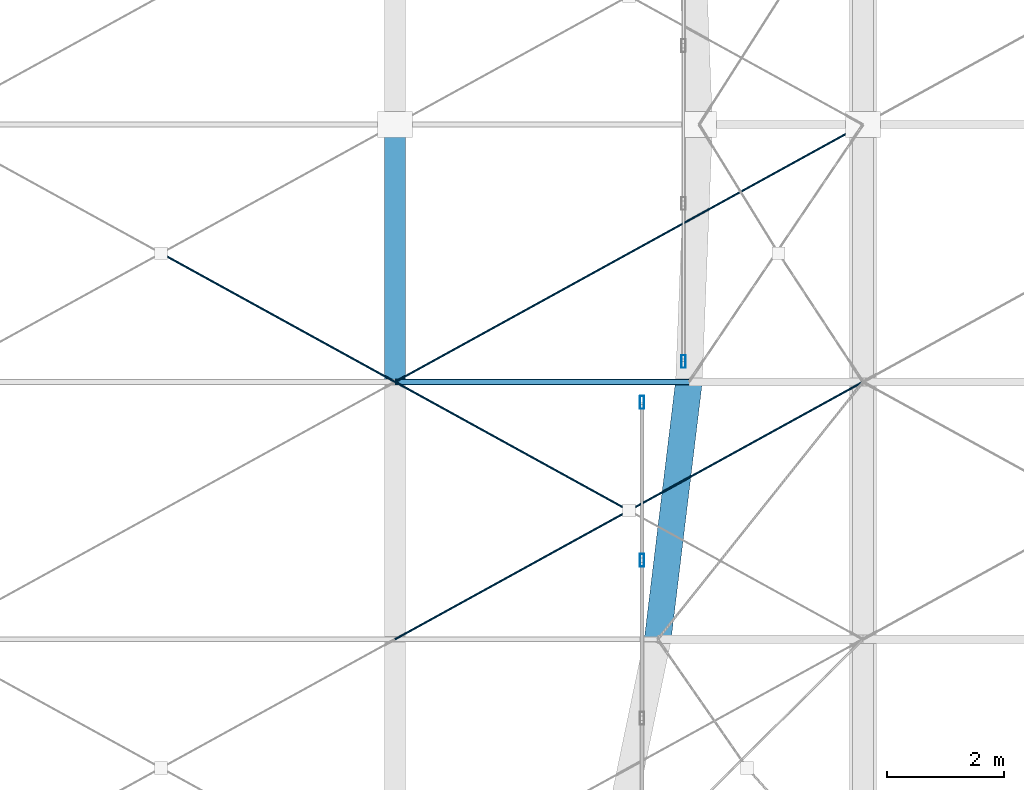
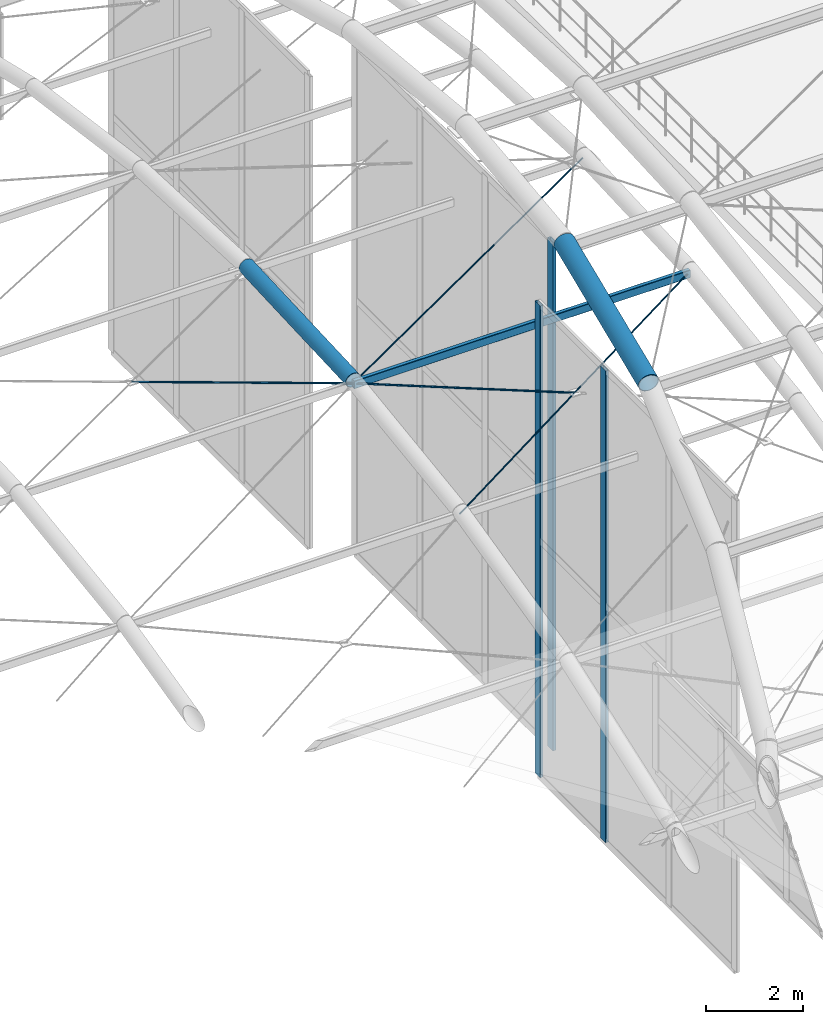
# One storey, part 24 of 163: 7 members, 3 beams, 2 elements without a shape of their own.
"""IFC4 building model written with IfcOpenShell, lengths in metres."""

import ifcopenshell
import ifcopenshell.guid

model = None  # the IFC model being written
_history = None  # IfcOwnerHistory: only IFC2X3 demands one
_inside = {}  # id of a spatial element -> (the spatial element, [elements in it])
_under = {}  # id of a project, library or spatial element -> (it, [spatial elements below it])
_declared = {}  # id of a project -> (the project, [libraries it declares])
_typed = {}  # id of a type object -> (the type object, [elements of that type])
_made_of = {}  # id of a material, layer set ... -> (it, [elements and type objects made of it])


def new_model(schema):
    """Start an empty IFC model of exactly this schema.

    Asked for "IFC4X3", IfcOpenShell would pick the latest addendum, in which some entities
    have other attributes; the version numbers below select the first issue.
    IFC2X3 requires an IfcOwnerHistory on every rooted entity: one is made here for all.
    """
    global model, _history
    if schema == "IFC4X3":
        model = ifcopenshell.file(schema_version=(4, 3, 0, 0))
    else:
        model = ifcopenshell.file(schema=schema)
    _inside.clear()
    _under.clear()
    _declared.clear()
    _typed.clear()
    _made_of.clear()
    _history = None
    if model.schema == "IFC2X3":
        org = make("IfcOrganization", Name="unknown")
        user = make(
            "IfcPersonAndOrganization",
            ThePerson=make("IfcPerson", FamilyName="unknown"),
            TheOrganization=org,
        )
        app = make(
            "IfcApplication",
            ApplicationDeveloper=org,
            Version="unknown",
            ApplicationFullName="unknown",
            ApplicationIdentifier="unknown",
        )
        _history = make(
            "IfcOwnerHistory",
            OwningUser=user,
            OwningApplication=app,
            ChangeAction="ADDED",
            CreationDate=0,
        )
    return model


def make(cls, **values):
    """One entity of the class cls with the attributes given. An attribute that is None is left unset."""
    return model.create_entity(
        cls, **{name: value for name, value in values.items() if value is not None}
    )


def rooted(cls, **values):
    """An entity with a GlobalId (a new one), such as an element, a storey or a relation."""
    return make(cls, GlobalId=ifcopenshell.guid.new(), OwnerHistory=_history, **values)


def si_unit(unit_type, name, prefix=None):
    """IfcSIUnit, for example si_unit("LENGTHUNIT", "METRE", prefix="MILLI")."""
    return make("IfcSIUnit", UnitType=unit_type, Prefix=prefix, Name=name)


def assignment(units):
    """IfcUnitAssignment: the units of a project."""
    return None if units is None else make("IfcUnitAssignment", Units=units)


def point(xyz):
    """IfcCartesianPoint."""
    return None if xyz is None else make("IfcCartesianPoint", Coordinates=xyz)


def direction(xyz):
    """IfcDirection."""
    return None if xyz is None else make("IfcDirection", DirectionRatios=xyz)


def frame(location, z_axis=None, x_axis=None):
    """IfcAxis2Placement3D, a coordinate frame: its origin and axes. An axis left out is left unset."""
    return make(
        "IfcAxis2Placement3D",
        Location=point(location),
        Axis=direction(z_axis),
        RefDirection=direction(x_axis),
    )


def frame_2d(location, x_axis=None):
    """IfcAxis2Placement2D, a coordinate frame in the plane: its origin and x axis."""
    return make(
        "IfcAxis2Placement2D", Location=point(location), RefDirection=direction(x_axis)
    )


def origin():
    """The frame at (0, 0, 0) with its axes left unset."""
    return frame((0.0, 0.0, 0.0))


def origin_2d():
    """The frame at (0, 0) in the plane with its x axis left unset."""
    return frame_2d((0.0, 0.0))


def place(relative_to, where):
    """IfcLocalPlacement: puts the frame where relative to a parent placement (None: the world)."""
    return make(
        "IfcLocalPlacement", PlacementRelTo=relative_to, RelativePlacement=where
    )


def context(
    kind, dimensions, precision=None, world=None, true_north=None, identifier=None
):
    """IfcGeometricRepresentationContext, for example the 3D "Model" context."""
    return make(
        "IfcGeometricRepresentationContext",
        ContextIdentifier=identifier,
        ContextType=kind,
        CoordinateSpaceDimension=dimensions,
        Precision=precision,
        WorldCoordinateSystem=world,
        TrueNorth=true_north,
    )


def subcontext(parent, identifier, kind, view, scale=None):
    """IfcGeometricRepresentationSubContext, for example "Body" below "Model"."""
    return make(
        "IfcGeometricRepresentationSubContext",
        ContextIdentifier=identifier,
        ContextType=kind,
        ParentContext=parent,
        TargetScale=scale,
        TargetView=view,
    )


def project(units=None, contexts=None):
    """IfcProject with its units and contexts."""
    return rooted(
        "IfcProject",
        Name="project",
        RepresentationContexts=contexts,
        UnitsInContext=assignment(units),
    )


def spatial(cls, under=None, at=None, **own):
    """A site, building, storey or space (cls), placed at a placement, below another one or the project."""
    s = rooted(cls, ObjectPlacement=at, **own)
    if under is not None:
        _under.setdefault(under.id(), (under, []))[1].append(s)
    return s


def profile(cls, at=None, kind="AREA", **sizes):
    """A parametric profile (cls). Its sizes go by their IFC names, for example OverallWidth=200.0."""
    return make(cls, ProfileType=kind, Position=at, **sizes)


def hollow_rectangle(**sizes):
    """IfcRectangleHollowProfileDef."""
    return profile("IfcRectangleHollowProfileDef", **sizes)


def circle(**sizes):
    """IfcCircleProfileDef."""
    return profile("IfcCircleProfileDef", **sizes)


def hollow_circle(**sizes):
    """IfcCircleHollowProfileDef."""
    return profile("IfcCircleHollowProfileDef", **sizes)


def extrude(swept, where, along, depth):
    """IfcExtrudedAreaSolid: the profile swept, set in the frame where, extruded along a direction by depth."""
    return make(
        "IfcExtrudedAreaSolid",
        SweptArea=swept,
        Position=where,
        ExtrudedDirection=direction(along),
        Depth=depth,
    )


def shape(context_of_items, identifier, shape_type, items):
    """IfcShapeRepresentation: the items that make up one representation, for example the "Body"."""
    return make(
        "IfcShapeRepresentation",
        ContextOfItems=context_of_items,
        RepresentationIdentifier=identifier,
        RepresentationType=shape_type,
        Items=items,
    )


def material(Name=None, Category=None):
    """IfcMaterial."""
    return make("IfcMaterial", Name=Name, Category=Category)


def material_profile(
    of_material, cross_section, Name=None, Category=None, Priority=None
):
    """IfcMaterialProfile: a cross section and its material."""
    return make(
        "IfcMaterialProfile",
        Name=Name,
        Material=of_material,
        Profile=cross_section,
        Priority=Priority,
        Category=Category,
    )


def profile_set(profiles, Name=None, composite=None):
    """IfcMaterialProfileSet."""
    return make(
        "IfcMaterialProfileSet",
        Name=Name,
        MaterialProfiles=profiles,
        CompositeProfile=composite,
    )


def made_of(thing, what):
    """Note that an element or type object is made of a material, layer set ...; save() writes the relation."""
    if what is not None:
        _made_of.setdefault(what.id(), (what, []))[1].append(thing)
    return thing


def type_object(cls, material=None, **own):
    """A type object (cls), such as IfcWallType, which elements share."""
    return made_of(rooted(cls, **own), material)


def element(
    cls,
    number,
    at=None,
    inside=None,
    cuts=None,
    type_object=None,
    material=None,
    context=None,
    identifier="Body",
    shape_type=None,
    held_by="IfcProductDefinitionShape",
    body=None,
    shapes=None,
    **own,
):
    """One element of the class cls, such as IfcWall. Its Tag is "e" and its number.

    at: its placement. inside: the storey or other place that contains it. cuts: it is an
    opening in that element (IfcRelVoidsElement). A single representation is given by context,
    identifier, shape_type and body (its items); several are given by shapes. held_by: the class
    of the entity that holds the representations. save() writes the other relations.
    """
    e = rooted(cls, Tag="e%d" % number, ObjectPlacement=at, **own)
    if body is not None:
        shapes = [shape(context, identifier, shape_type, body)]
    if shapes is not None:
        e.Representation = make(held_by, Representations=shapes)
    if inside is not None:
        _inside.setdefault(inside.id(), (inside, []))[1].append(e)
    if cuts is not None:
        rooted(
            "IfcRelVoidsElement", RelatingBuildingElement=cuts, RelatedOpeningElement=e
        )
    if type_object is not None:
        _typed.setdefault(type_object.id(), (type_object, []))[1].append(e)
    return made_of(e, material)


def aggregate(whole, parts):
    """IfcRelAggregates: a whole, such as a stair, and the parts it consists of."""
    return rooted("IfcRelAggregates", RelatingObject=whole, RelatedObjects=parts)


def save(model, path):
    """Write the relations noted so far, then the file.

    IfcRelAggregates (storeys below a building ...), IfcRelContainedInSpatialStructure (elements
    in a storey), IfcRelDefinesByType, IfcRelAssociatesMaterial and IfcRelDeclares: one each for
    every whole, place, type object, material and project.
    """
    for whole, parts in _under.values():
        aggregate(whole, parts)
    for where, things in _inside.values():
        rooted(
            "IfcRelContainedInSpatialStructure",
            RelatedElements=things,
            RelatingStructure=where,
        )
    for kind, things in _typed.values():
        rooted("IfcRelDefinesByType", RelatedObjects=things, RelatingType=kind)
    for what, things in _made_of.values():
        rooted("IfcRelAssociatesMaterial", RelatedObjects=things, RelatingMaterial=what)
    for by, libraries in _declared.values():
        rooted("IfcRelDeclares", RelatingContext=by, RelatedDefinitions=libraries)
    model.write(path)


model = new_model("IFC4")

# Units and contexts
model_context = context("Model", 3, precision=1e-05, world=origin(), true_north=direction((0.0, 1.0)))
body_context = subcontext(model_context, "Body", "Model", "MODEL_VIEW")
ifc_project = project(units=[si_unit("LENGTHUNIT", "METRE"), si_unit("AREAUNIT", "SQUARE_METRE"), si_unit("VOLUMEUNIT", "CUBIC_METRE"), si_unit("PLANEANGLEUNIT", "RADIAN"), si_unit("MASSUNIT", "GRAM", prefix="KILO")], contexts=[model_context])

# Site, building, storey
site_placement = place(None, origin())
site = spatial("IfcSite", under=ifc_project, at=site_placement, CompositionType="ELEMENT")
building_placement = place(site_placement, origin())
building = spatial("IfcBuilding", under=site, at=building_placement, Name="Varnabhumi Central Station", CompositionType="ELEMENT")
storey_placement = place(building_placement, frame((0.0, 0.0, 9.60009765625)))
storey = spatial("IfcBuildingStorey", under=building, at=storey_placement, Name="L02", CompositionType="ELEMENT", Elevation=9.60009765625)

# Beams
ifc_material_1 = material(Name="Structural steel E350", Category="steel")
ifc_material_profile_1 = material_profile(ifc_material_1, hollow_circle(Radius=0.177734375, WallThickness=0.012451171875, at=origin_2d()), Name="Structural steel E350", Category="steel")
ifc_profile_set_1 = profile_set([ifc_material_profile_1], Name="Structural steel E350")
beam_type_1 = type_object("IfcBeamType", Name="BM-ARCH-CHS355", PredefinedType="BEAM", material=ifc_profile_set_1)
beam_1_placement = place(storey_placement, frame((40.0, 53.60009765625, 8.79736328125), z_axis=(0.0, 0.998941160779, 0.046006057233), x_axis=(-1.0, 0.0, 0.0)))
element("IfcBeam", 1, at=beam_1_placement, inside=storey, type_object=beam_type_1, Name="Entrance Portico Vault Arch Rib 4 Seg 5", PredefinedType="BEAM", context=body_context, shape_type="SweptSolid", body=[
    extrude(hollow_circle(Radius=0.177734375, WallThickness=0.012451171875, at=origin_2d()), origin(), (0.0, 0.0, 1.0), 4.404541015625),
])
ifc_material_2 = material(Name="Structural steel E450", Category="steel")
ifc_material_profile_2 = material_profile(ifc_material_2, hollow_circle(Radius=0.228515625, WallThickness=0.01611328125, at=origin_2d()), Name="Structural steel E450", Category="steel")
ifc_profile_set_2 = profile_set([ifc_material_profile_2], Name="Structural steel E450")
beam_type_2 = type_object("IfcBeamType", Name="BM-ARCH-CHS457", PredefinedType="BEAM", material=ifc_profile_set_2)
beam_2_placement = place(storey_placement, frame((44.491455078125, 49.199951171875, 9.8232421875), z_axis=(0.118784355014, 0.980691905822, 0.155350129896), x_axis=(-0.992744345989, 0.120244182838, 0.0)))
element("IfcBeam", 2, at=beam_2_placement, inside=storey, type_object=beam_type_2, Name="Ticket Hall Vault Arch Rib 1 Seg 4", PredefinedType="BEAM", context=body_context, shape_type="SweptSolid", body=[
    extrude(hollow_circle(Radius=0.228515625, WallThickness=0.01611328125, at=origin_2d()), origin(), (0.0, 0.0, 1.0), 4.48681640625),
])
ifc_material_profile_3 = material_profile(ifc_material_1, hollow_rectangle(XDim=0.10009765625, YDim=0.199951171875, WallThickness=0.008056640625, InnerFilletRadius=0.008056640625, OuterFilletRadius=0.01611328125, at=origin_2d()), Name="Structural steel E350", Category="steel")
ifc_profile_set_3 = profile_set([ifc_material_profile_3], Name="Structural steel E350")
beam_type_3 = type_object("IfcBeamType", Name="BM-PUR-RHS200", PredefinedType="JOIST", material=ifc_profile_set_3)
beam_3_placement = place(storey_placement, frame((40.0, 53.60009765625, 8.697265625), z_axis=(1.0, 0.0, 0.0), x_axis=(0.0, 1.0, 0.0)))
element("IfcBeam", 3, at=beam_3_placement, inside=storey, type_object=beam_type_3, Name="Entrance Portico Vault Purlin B4-L4", PredefinedType="JOIST", context=body_context, shape_type="SweptSolid", body=[
    extrude(hollow_rectangle(XDim=0.10009765625, YDim=0.199951171875, WallThickness=0.008056640625, InnerFilletRadius=0.008056640625, OuterFilletRadius=0.01611328125, at=origin_2d()), origin(), (0.0, 0.0, 1.0), 8.0),
])

# Curtain wall, members
ifc_material_3 = material(Name="Anodised aluminium 6063-T6", Category="aluminium")
curtain_wall_type = type_object("IfcCurtainWallType", Name="CW-VAULT-ARCH-V3", PredefinedType="NOTDEFINED", material=ifc_material_3)
curtain_wall_1_placement = place(storey_placement, origin())
curtain_wall_1 = element("IfcCurtainWall", 4, at=curtain_wall_1_placement, inside=storey, type_object=curtain_wall_type, Name="Curtain Wall CW-V32", PredefinedType="NOTDEFINED")
ifc_material_profile_4 = material_profile(ifc_material_3, hollow_rectangle(XDim=0.074951171875, YDim=0.219970703125, WallThickness=0.0048828125, InnerFilletRadius=0.0009765625, OuterFilletRadius=0.006103515625, at=origin_2d()), Name="Anodised aluminium 6063-T6", Category="aluminium")
ifc_profile_set_4 = profile_set([ifc_material_profile_4], Name="Anodised aluminium 6063-T6")
member_type_1 = type_object("IfcMemberType", Name="CW-MUL-220", PredefinedType="MULLION", material=ifc_profile_set_4)
member_1_placement = place(storey_placement, frame((44.22412109375, 50.550048828125, -2.400146484375), z_axis=(0.0, 0.0, 1.0), x_axis=(1.0, 0.0, 0.0)))
member_1 = element("IfcMember", 5, at=member_1_placement, type_object=member_type_1, Name="Curtain Wall Mullion CW-V32-M3", PredefinedType="MULLION", context=body_context, shape_type="SweptSolid", body=[
    extrude(hollow_rectangle(XDim=0.074951171875, YDim=0.219970703125, WallThickness=0.0048828125, InnerFilletRadius=0.0009765625, OuterFilletRadius=0.006103515625, at=origin_2d()), origin(), (0.0, 0.0, 1.0), 11.87353515625),
])
member_2_placement = place(storey_placement, frame((44.22412109375, 53.25, -2.400146484375), z_axis=(0.0, 0.0, 1.0), x_axis=(1.0, 0.0, 0.0)))
member_2 = element("IfcMember", 6, at=member_2_placement, type_object=member_type_1, Name="Curtain Wall Mullion CW-V32-M4", PredefinedType="MULLION", context=body_context, shape_type="SweptSolid", body=[
    extrude(hollow_rectangle(XDim=0.074951171875, YDim=0.219970703125, WallThickness=0.0048828125, InnerFilletRadius=0.0009765625, OuterFilletRadius=0.006103515625, at=origin_2d()), origin(), (0.0, 0.0, 1.0), 11.87353515625),
])
aggregate(curtain_wall_1, [member_1, member_2])

# Curtain wall, member
curtain_wall_2_placement = place(storey_placement, origin())
curtain_wall_2 = element("IfcCurtainWall", 7, at=curtain_wall_2_placement, inside=storey, type_object=curtain_wall_type, Name="Curtain Wall CW-V33", PredefinedType="NOTDEFINED")
member_3_placement = place(storey_placement, frame((44.931884765625, 53.949951171875, -2.400146484375), z_axis=(0.0, 0.0, 1.0), x_axis=(1.0, 0.0, 0.0)))
member_3 = element("IfcMember", 8, at=member_3_placement, type_object=member_type_1, Name="Curtain Wall Mullion CW-V33-M1", PredefinedType="MULLION", context=body_context, shape_type="SweptSolid", body=[
    extrude(hollow_rectangle(XDim=0.074951171875, YDim=0.219970703125, WallThickness=0.0048828125, InnerFilletRadius=0.0009765625, OuterFilletRadius=0.006103515625, at=origin_2d()), origin(), (0.0, 0.0, 1.0), 12.800048828125),
])
aggregate(curtain_wall_2, [member_3])

# Members
ifc_material_4 = material(Name="Spiral-strand steel S1570", Category="steel")
ifc_material_profile_5 = material_profile(ifc_material_4, circle(Radius=0.01806640625, at=origin_2d()), Name="Spiral-strand steel S1570", Category="steel")
ifc_profile_set_5 = profile_set([ifc_material_profile_5], Name="Spiral-strand steel S1570")
member_type_2 = type_object("IfcMemberType", Name="MBR-CABLE-D36", PredefinedType="USERDEFINED", material=ifc_profile_set_5)
member_4_placement = place(storey_placement, frame((36.0, 55.800048828125, 8.818603515625), z_axis=(0.876004697448, -0.48179189018, -0.022188839688), x_axis=(0.481910537812, 0.876220425204, 0.0)))
element("IfcMember", 9, at=member_4_placement, inside=storey, type_object=member_type_2, Name="Entrance Portico Vault Cable-Net Split Tie B3-P5B2", ObjectType="TENSION CABLE", PredefinedType="USERDEFINED", context=body_context, shape_type="SweptSolid", body=[
    extrude(circle(Radius=0.01806640625, at=origin_2d()), origin(), (0.0, 0.0, 1.0), 4.566162109375),
])
member_5_placement = place(storey_placement, frame((40.0, 49.199951171875, 8.102294921875), z_axis=(0.874228176797, 0.480841504835, 0.067205223918), x_axis=(-0.481931067474, 0.876209133828, 0.0)))
element("IfcMember", 10, at=member_5_placement, inside=storey, type_object=member_type_2, Name="Entrance Portico Vault Cable-Net Tie B4-P4A", ObjectType="TENSION CABLE", PredefinedType="USERDEFINED", context=body_context, shape_type="SweptSolid", body=[
    extrude(circle(Radius=0.01806640625, at=origin_2d()), origin(), (0.0, 0.0, 1.0), 9.15087890625),
])
member_6_placement = place(storey_placement, frame((40.0, 53.60009765625, 8.71728515625), z_axis=(0.874218528757, -0.480862877268, -0.067177803205), x_axis=(0.481951596342, 0.876197842262, 0.0)))
element("IfcMember", 11, at=member_6_placement, inside=storey, type_object=member_type_2, Name="Entrance Portico Vault Cable-Net Split Tie B4-P4B1", ObjectType="TENSION CABLE", PredefinedType="USERDEFINED", context=body_context, shape_type="SweptSolid", body=[
    extrude(circle(Radius=0.01806640625, at=origin_2d()), origin(), (0.0, 0.0, 1.0), 4.575439453125),
])
member_7_placement = place(storey_placement, frame((40.0, 53.60009765625, 8.71728515625), z_axis=(0.876004697448, 0.48179189018, 0.022188839688), x_axis=(-0.481910537812, 0.876220425204, 0.0)))
element("IfcMember", 12, at=member_7_placement, inside=storey, type_object=member_type_2, Name="Entrance Portico Vault Cable-Net Tie B4-P5A", ObjectType="TENSION CABLE", PredefinedType="USERDEFINED", context=body_context, shape_type="SweptSolid", body=[
    extrude(circle(Radius=0.01806640625, at=origin_2d()), origin(), (0.0, 0.0, 1.0), 9.13232421875),
])

save(model, "model.ifc")
